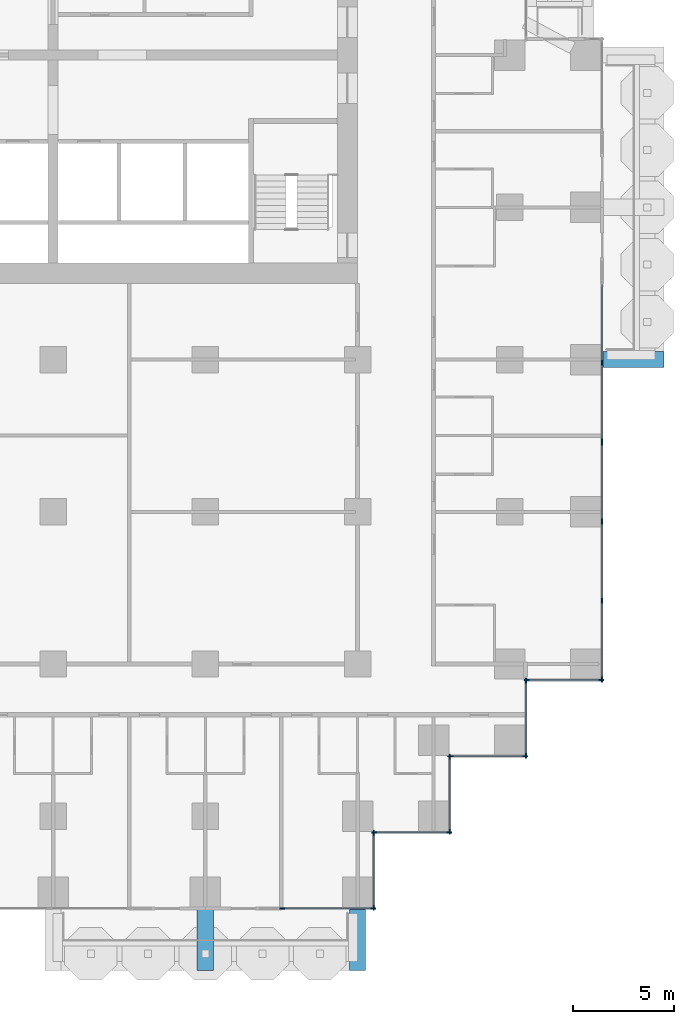
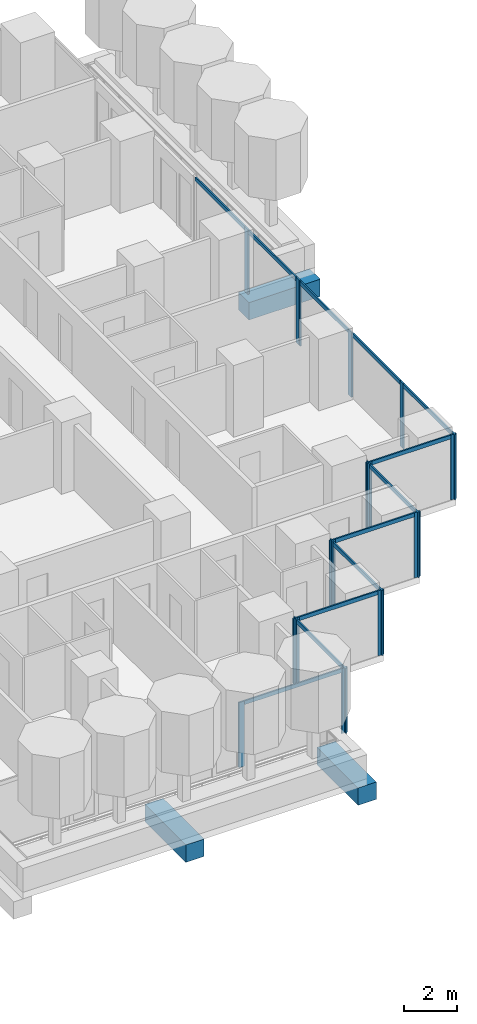
# One storey, part 4 of 20: 32 members, 3 beams, 9 elements without a shape of their own.
"""IFC4 building model written with IfcOpenShell, lengths in metres."""

from ifc_helpers import new_model, si_unit, direction, frame, origin, origin_2d, place, context, subcontext, project, spatial, rectangle, extrude, material, material_profile, profile_set, type_object, element, aggregate, save


model = new_model("IFC4")

# Units and contexts
model_context = context("Model", 3, precision=1e-05, world=origin(), true_north=direction((0.0, 1.0)))
body_context = subcontext(model_context, "Body", "Model", "MODEL_VIEW")
ifc_project = project(units=[si_unit("LENGTHUNIT", "METRE"), si_unit("AREAUNIT", "SQUARE_METRE"), si_unit("VOLUMEUNIT", "CUBIC_METRE"), si_unit("PLANEANGLEUNIT", "RADIAN"), si_unit("MASSUNIT", "GRAM", prefix="KILO")], contexts=[model_context])

# Site, building, storey
site_placement = place(None, origin())
site = spatial("IfcSite", under=ifc_project, at=site_placement, CompositionType="ELEMENT")
building_placement = place(site_placement, origin())
building = spatial("IfcBuilding", under=site, at=building_placement, Name="Pilkhan Gate Tower", CompositionType="ELEMENT")
storey_placement = place(building_placement, frame((0.0, 0.0, 85.699951171875)))
storey = spatial("IfcBuildingStorey", under=building, at=storey_placement, Name="L20", CompositionType="ELEMENT", Elevation=85.699951171875)

# Beams
ifc_material_1 = material(Name="Concrete C50/60", Category="concrete")
ifc_material_profile_1 = material_profile(ifc_material_1, rectangle(XDim=0.800048828125, YDim=0.800048828125, at=origin_2d()), Name="RC 800x800")
ifc_profile_set_1 = profile_set([ifc_material_profile_1], Name="Concrete C50/60")
beam_type = type_object("IfcBeamType", Name="Cantilever beam CB2 RC 800x800 C50/60", PredefinedType="BEAM", material=ifc_profile_set_1)
for number, where, z_axis, x_axis, name in (
    (1, (82.5, 40.5, -0.699951171875), (0.0, -1.0, 0.0), (1.0, 0.0, 0.0), "Balcony beam S.2 L20"),
    (2, (90.0, 40.5, -0.699951171875), (0.0, -1.0, 0.0), (1.0, 0.0, 0.0), "Balcony beam S.3 L20"),
    (3, (102.0, 67.5, -0.699951171875), (1.0, 0.0, 0.0), (0.0, 1.0, 0.0), "Balcony beam E.1 L20"),
):
    element("IfcBeam", number, at=place(storey_placement, frame(where, z_axis=z_axis, x_axis=x_axis)), inside=storey, type_object=beam_type, Name=name, PredefinedType="BEAM", context=body_context, shape_type="SweptSolid", body=[
        extrude(rectangle(XDim=0.800048828125, YDim=0.800048828125, at=origin_2d()), origin(), (0.0, 0.0, 1.0), 3.10009765625),
    ])

# Curtain wall, members
ifc_material_2 = material(Name="Pale anodised aluminium, clear low-iron double glazing", Category="aluminium")
curtain_wall_type = type_object("IfcCurtainWallType", Name="Hotel unitised curtain wall CW-H", PredefinedType="USERDEFINED", material=ifc_material_2)
curtain_wall_1_placement = place(storey_placement, origin())
curtain_wall_1 = element("IfcCurtainWall", 4, at=curtain_wall_1_placement, inside=storey, type_object=curtain_wall_type, Name="Hotel unitised curtain wall CW-H L20 E", ObjectType="UNITISED CURTAIN WALL", PredefinedType="USERDEFINED")
ifc_material_3 = material(Name="Pale anodised aluminium", Category="aluminium")
ifc_material_profile_2 = material_profile(ifc_material_3, rectangle(XDim=0.06494140625, YDim=0.25, at=origin_2d()), Name="Mullion 250x65")
ifc_profile_set_2 = profile_set([ifc_material_profile_2], Name="Pale anodised aluminium")
member_type_1 = type_object("IfcMemberType", Name="Mullion CW-H 250x65", PredefinedType="MULLION", material=ifc_profile_set_2)
member_1_placement = place(storey_placement, frame((102.044921875, 51.737548828125, 0.0), z_axis=(0.0, 0.0, 1.0), x_axis=(-1.0, 0.0, 0.0)))
member_1 = element("IfcMember", 5, at=member_1_placement, type_object=member_type_1, Name="CW-H mullion 1", PredefinedType="MULLION", context=body_context, shape_type="SweptSolid", body=[
    extrude(rectangle(XDim=0.06494140625, YDim=0.25, at=origin_2d()), origin(), (0.0, 0.0, 1.0), 3.0),
])
member_2_placement = place(storey_placement, frame((102.044921875, 55.614013671875, 0.0), z_axis=(0.0, 0.0, 1.0), x_axis=(-1.0, 0.0, 0.0)))
member_2 = element("IfcMember", 6, at=member_2_placement, type_object=member_type_1, Name="CW-H mullion 2", PredefinedType="MULLION", context=body_context, shape_type="SweptSolid", body=[
    extrude(rectangle(XDim=0.06494140625, YDim=0.25, at=origin_2d()), origin(), (0.0, 0.0, 1.0), 3.0),
])
member_3_placement = place(storey_placement, frame((102.044921875, 59.52294921875, 0.0), z_axis=(0.0, 0.0, 1.0), x_axis=(-1.0, 0.0, 0.0)))
member_3 = element("IfcMember", 7, at=member_3_placement, type_object=member_type_1, Name="CW-H mullion 3", PredefinedType="MULLION", context=body_context, shape_type="SweptSolid", body=[
    extrude(rectangle(XDim=0.06494140625, YDim=0.25, at=origin_2d()), origin(), (0.0, 0.0, 1.0), 3.0),
])
member_4_placement = place(storey_placement, frame((102.044921875, 63.3994140625, 0.0), z_axis=(0.0, 0.0, 1.0), x_axis=(-1.0, 0.0, 0.0)))
member_4 = element("IfcMember", 8, at=member_4_placement, type_object=member_type_1, Name="CW-H mullion 4", PredefinedType="MULLION", context=body_context, shape_type="SweptSolid", body=[
    extrude(rectangle(XDim=0.06494140625, YDim=0.25, at=origin_2d()), origin(), (0.0, 0.0, 1.0), 3.0),
])

curtain_wall_2_placement = place(storey_placement, origin())
curtain_wall_2 = element("IfcCurtainWall", 9, at=curtain_wall_2_placement, inside=storey, type_object=curtain_wall_type, Name="Hotel unitised curtain wall CW-H L20 E", ObjectType="UNITISED CURTAIN WALL", PredefinedType="USERDEFINED")
member_5_placement = place(storey_placement, frame((102.044921875, 63.464599609375, 0.0), z_axis=(0.0, 0.0, 1.0), x_axis=(-1.0, 0.0, 0.0)))
member_5 = element("IfcMember", 10, at=member_5_placement, type_object=member_type_1, Name="CW-H mullion 1", PredefinedType="MULLION", context=body_context, shape_type="SweptSolid", body=[
    extrude(rectangle(XDim=0.06494140625, YDim=0.25, at=origin_2d()), origin(), (0.0, 0.0, 1.0), 3.0),
])
member_6_placement = place(storey_placement, frame((102.044921875, 67.341064453125, 0.0), z_axis=(0.0, 0.0, 1.0), x_axis=(-1.0, 0.0, 0.0)))
member_6 = element("IfcMember", 11, at=member_6_placement, type_object=member_type_1, Name="CW-H mullion 2", PredefinedType="MULLION", context=body_context, shape_type="SweptSolid", body=[
    extrude(rectangle(XDim=0.06494140625, YDim=0.25, at=origin_2d()), origin(), (0.0, 0.0, 1.0), 3.0),
])

curtain_wall_3_placement = place(storey_placement, origin())
curtain_wall_3 = element("IfcCurtainWall", 12, at=curtain_wall_3_placement, inside=storey, type_object=curtain_wall_type, Name="Hotel unitised curtain wall CW-H L20 S", ObjectType="UNITISED CURTAIN WALL", PredefinedType="USERDEFINED")
member_7_placement = place(storey_placement, frame((86.282470703125, 40.455078125, 0.0), z_axis=(0.0, 0.0, 1.0), x_axis=(0.0, 1.0, 0.0)))
member_7 = element("IfcMember", 13, at=member_7_placement, type_object=member_type_1, Name="CW-H mullion 1", PredefinedType="MULLION", context=body_context, shape_type="SweptSolid", body=[
    extrude(rectangle(XDim=0.06494140625, YDim=0.25, at=origin_2d()), origin(), (0.0, 0.0, 1.0), 3.0),
])
member_8_placement = place(storey_placement, frame((90.762451171875, 40.455078125, 0.0), z_axis=(0.0, 0.0, 1.0), x_axis=(0.0, 1.0, 0.0)))
member_8 = element("IfcMember", 14, at=member_8_placement, type_object=member_type_1, Name="CW-H mullion 2", PredefinedType="MULLION", context=body_context, shape_type="SweptSolid", body=[
    extrude(rectangle(XDim=0.06494140625, YDim=0.25, at=origin_2d()), origin(), (0.0, 0.0, 1.0), 3.0),
])

curtain_wall_4_placement = place(storey_placement, origin())
curtain_wall_4 = element("IfcCurtainWall", 15, at=curtain_wall_4_placement, inside=storey, type_object=curtain_wall_type, Name="Hotel unitised curtain wall CW-H L20 E", ObjectType="UNITISED CURTAIN WALL", PredefinedType="USERDEFINED")
member_9_placement = place(storey_placement, frame((90.794921875, 40.487548828125, 0.0), z_axis=(0.0, 0.0, 1.0), x_axis=(-1.0, 0.0, 0.0)))
member_9 = element("IfcMember", 16, at=member_9_placement, type_object=member_type_1, Name="CW-H mullion 1", PredefinedType="MULLION", context=body_context, shape_type="SweptSolid", body=[
    extrude(rectangle(XDim=0.06494140625, YDim=0.25, at=origin_2d()), origin(), (0.0, 0.0, 1.0), 3.0),
])
member_10_placement = place(storey_placement, frame((90.794921875, 44.172607421875, 0.0), z_axis=(0.0, 0.0, 1.0), x_axis=(-1.0, 0.0, 0.0)))
member_10 = element("IfcMember", 17, at=member_10_placement, type_object=member_type_1, Name="CW-H mullion 2", PredefinedType="MULLION", context=body_context, shape_type="SweptSolid", body=[
    extrude(rectangle(XDim=0.06494140625, YDim=0.25, at=origin_2d()), origin(), (0.0, 0.0, 1.0), 3.0),
])

curtain_wall_5_placement = place(storey_placement, origin())
curtain_wall_5 = element("IfcCurtainWall", 18, at=curtain_wall_5_placement, inside=storey, type_object=curtain_wall_type, Name="Hotel unitised curtain wall CW-H L20 S", ObjectType="UNITISED CURTAIN WALL", PredefinedType="USERDEFINED")
member_11_placement = place(storey_placement, frame((90.827392578125, 44.205078125, 0.0), z_axis=(0.0, 0.0, 1.0), x_axis=(0.0, 1.0, 0.0)))
member_11 = element("IfcMember", 19, at=member_11_placement, type_object=member_type_1, Name="CW-H mullion 1", PredefinedType="MULLION", context=body_context, shape_type="SweptSolid", body=[
    extrude(rectangle(XDim=0.06494140625, YDim=0.25, at=origin_2d()), origin(), (0.0, 0.0, 1.0), 3.0),
])
member_12_placement = place(storey_placement, frame((94.512451171875, 44.205078125, 0.0), z_axis=(0.0, 0.0, 1.0), x_axis=(0.0, 1.0, 0.0)))
member_12 = element("IfcMember", 20, at=member_12_placement, type_object=member_type_1, Name="CW-H mullion 2", PredefinedType="MULLION", context=body_context, shape_type="SweptSolid", body=[
    extrude(rectangle(XDim=0.06494140625, YDim=0.25, at=origin_2d()), origin(), (0.0, 0.0, 1.0), 3.0),
])

curtain_wall_6_placement = place(storey_placement, origin())
curtain_wall_6 = element("IfcCurtainWall", 21, at=curtain_wall_6_placement, inside=storey, type_object=curtain_wall_type, Name="Hotel unitised curtain wall CW-H L20 E", ObjectType="UNITISED CURTAIN WALL", PredefinedType="USERDEFINED")
member_13_placement = place(storey_placement, frame((94.544921875, 44.237548828125, 0.0), z_axis=(0.0, 0.0, 1.0), x_axis=(-1.0, 0.0, 0.0)))
member_13 = element("IfcMember", 22, at=member_13_placement, type_object=member_type_1, Name="CW-H mullion 1", PredefinedType="MULLION", context=body_context, shape_type="SweptSolid", body=[
    extrude(rectangle(XDim=0.06494140625, YDim=0.25, at=origin_2d()), origin(), (0.0, 0.0, 1.0), 3.0),
])
member_14_placement = place(storey_placement, frame((94.544921875, 47.922607421875, 0.0), z_axis=(0.0, 0.0, 1.0), x_axis=(-1.0, 0.0, 0.0)))
member_14 = element("IfcMember", 23, at=member_14_placement, type_object=member_type_1, Name="CW-H mullion 2", PredefinedType="MULLION", context=body_context, shape_type="SweptSolid", body=[
    extrude(rectangle(XDim=0.06494140625, YDim=0.25, at=origin_2d()), origin(), (0.0, 0.0, 1.0), 3.0),
])

curtain_wall_7_placement = place(storey_placement, origin())
curtain_wall_7 = element("IfcCurtainWall", 24, at=curtain_wall_7_placement, inside=storey, type_object=curtain_wall_type, Name="Hotel unitised curtain wall CW-H L20 S", ObjectType="UNITISED CURTAIN WALL", PredefinedType="USERDEFINED")
member_15_placement = place(storey_placement, frame((94.577392578125, 47.955078125, 0.0), z_axis=(0.0, 0.0, 1.0), x_axis=(0.0, 1.0, 0.0)))
member_15 = element("IfcMember", 25, at=member_15_placement, type_object=member_type_1, Name="CW-H mullion 1", PredefinedType="MULLION", context=body_context, shape_type="SweptSolid", body=[
    extrude(rectangle(XDim=0.06494140625, YDim=0.25, at=origin_2d()), origin(), (0.0, 0.0, 1.0), 3.0),
])
member_16_placement = place(storey_placement, frame((98.262451171875, 47.955078125, 0.0), z_axis=(0.0, 0.0, 1.0), x_axis=(0.0, 1.0, 0.0)))
member_16 = element("IfcMember", 26, at=member_16_placement, type_object=member_type_1, Name="CW-H mullion 2", PredefinedType="MULLION", context=body_context, shape_type="SweptSolid", body=[
    extrude(rectangle(XDim=0.06494140625, YDim=0.25, at=origin_2d()), origin(), (0.0, 0.0, 1.0), 3.0),
])

curtain_wall_8_placement = place(storey_placement, origin())
curtain_wall_8 = element("IfcCurtainWall", 27, at=curtain_wall_8_placement, inside=storey, type_object=curtain_wall_type, Name="Hotel unitised curtain wall CW-H L20 E", ObjectType="UNITISED CURTAIN WALL", PredefinedType="USERDEFINED")
member_17_placement = place(storey_placement, frame((98.294921875, 47.987548828125, 0.0), z_axis=(0.0, 0.0, 1.0), x_axis=(-1.0, 0.0, 0.0)))
member_17 = element("IfcMember", 28, at=member_17_placement, type_object=member_type_1, Name="CW-H mullion 1", PredefinedType="MULLION", context=body_context, shape_type="SweptSolid", body=[
    extrude(rectangle(XDim=0.06494140625, YDim=0.25, at=origin_2d()), origin(), (0.0, 0.0, 1.0), 3.0),
])
member_18_placement = place(storey_placement, frame((98.294921875, 51.672607421875, 0.0), z_axis=(0.0, 0.0, 1.0), x_axis=(-1.0, 0.0, 0.0)))
member_18 = element("IfcMember", 29, at=member_18_placement, type_object=member_type_1, Name="CW-H mullion 2", PredefinedType="MULLION", context=body_context, shape_type="SweptSolid", body=[
    extrude(rectangle(XDim=0.06494140625, YDim=0.25, at=origin_2d()), origin(), (0.0, 0.0, 1.0), 3.0),
])

curtain_wall_9_placement = place(storey_placement, origin())
curtain_wall_9 = element("IfcCurtainWall", 30, at=curtain_wall_9_placement, inside=storey, type_object=curtain_wall_type, Name="Hotel unitised curtain wall CW-H L20 S", ObjectType="UNITISED CURTAIN WALL", PredefinedType="USERDEFINED")
member_19_placement = place(storey_placement, frame((98.327392578125, 51.705078125, 0.0), z_axis=(0.0, 0.0, 1.0), x_axis=(0.0, 1.0, 0.0)))
member_19 = element("IfcMember", 31, at=member_19_placement, type_object=member_type_1, Name="CW-H mullion 1", PredefinedType="MULLION", context=body_context, shape_type="SweptSolid", body=[
    extrude(rectangle(XDim=0.06494140625, YDim=0.25, at=origin_2d()), origin(), (0.0, 0.0, 1.0), 3.0),
])
member_20_placement = place(storey_placement, frame((102.012451171875, 51.705078125, 0.0), z_axis=(0.0, 0.0, 1.0), x_axis=(0.0, 1.0, 0.0)))
member_20 = element("IfcMember", 32, at=member_20_placement, type_object=member_type_1, Name="CW-H mullion 2", PredefinedType="MULLION", context=body_context, shape_type="SweptSolid", body=[
    extrude(rectangle(XDim=0.06494140625, YDim=0.25, at=origin_2d()), origin(), (0.0, 0.0, 1.0), 3.0),
])

# Member
ifc_material_profile_3 = material_profile(ifc_material_3, rectangle(XDim=0.06494140625, YDim=0.179931640625, at=origin_2d()), Name="Transom 180x65")
ifc_profile_set_3 = profile_set([ifc_material_profile_3], Name="Pale anodised aluminium")
member_type_2 = type_object("IfcMemberType", Name="Transom CW-H 180x65", PredefinedType="USERDEFINED", material=ifc_profile_set_3)
member_21_placement = place(storey_placement, frame((102.044921875, 51.77001953125, 2.91015625), z_axis=(0.0, 1.0, 0.0), x_axis=(-1.0, 0.0, 0.0)))
member_21 = element("IfcMember", 33, at=member_21_placement, type_object=member_type_2, Name="CW-H transom 1", ObjectType="TRANSOM", PredefinedType="USERDEFINED", context=body_context, shape_type="SweptSolid", body=[
    extrude(rectangle(XDim=0.06494140625, YDim=0.179931640625, at=origin_2d()), origin(), (0.0, 0.0, 1.0), 3.8115234375),
])

member_22_placement = place(storey_placement, frame((102.044921875, 55.646484375, 2.91015625), z_axis=(0.0, 1.0, 0.0), x_axis=(-1.0, 0.0, 0.0)))
member_22 = element("IfcMember", 34, at=member_22_placement, type_object=member_type_2, Name="CW-H transom 2", ObjectType="TRANSOM", PredefinedType="USERDEFINED", context=body_context, shape_type="SweptSolid", body=[
    extrude(rectangle(XDim=0.06494140625, YDim=0.179931640625, at=origin_2d()), origin(), (0.0, 0.0, 1.0), 3.843994140625),
])

member_23_placement = place(storey_placement, frame((102.044921875, 59.555419921875, 2.91015625), z_axis=(0.0, 1.0, 0.0), x_axis=(-1.0, 0.0, 0.0)))
member_23 = element("IfcMember", 35, at=member_23_placement, type_object=member_type_2, Name="CW-H transom 3", ObjectType="TRANSOM", PredefinedType="USERDEFINED", context=body_context, shape_type="SweptSolid", body=[
    extrude(rectangle(XDim=0.06494140625, YDim=0.179931640625, at=origin_2d()), origin(), (0.0, 0.0, 1.0), 3.8115234375),
])

aggregate(curtain_wall_1, [member_1, member_2, member_3, member_4, member_21, member_22, member_23])

member_24_placement = place(storey_placement, frame((102.044921875, 63.4970703125, 2.91015625), z_axis=(0.0, 1.0, 0.0), x_axis=(-1.0, 0.0, 0.0)))
member_24 = element("IfcMember", 36, at=member_24_placement, type_object=member_type_2, Name="CW-H transom 1", ObjectType="TRANSOM", PredefinedType="USERDEFINED", context=body_context, shape_type="SweptSolid", body=[
    extrude(rectangle(XDim=0.06494140625, YDim=0.179931640625, at=origin_2d()), origin(), (0.0, 0.0, 1.0), 3.8115234375),
])

member_25_placement = place(storey_placement, frame((102.044921875, 67.37353515625, 2.91015625), z_axis=(0.0, 1.0, 0.0), x_axis=(-1.0, 0.0, 0.0)))
member_25 = element("IfcMember", 37, at=member_25_placement, type_object=member_type_2, Name="CW-H transom 2", ObjectType="TRANSOM", PredefinedType="USERDEFINED", context=body_context, shape_type="SweptSolid", body=[
    extrude(rectangle(XDim=0.06494140625, YDim=0.179931640625, at=origin_2d()), origin(), (0.0, 0.0, 1.0), 3.8115234375),
])

aggregate(curtain_wall_2, [member_5, member_6, member_24, member_25])

member_26_placement = place(storey_placement, frame((86.31494140625, 40.455078125, 2.91015625), z_axis=(1.0, 0.0, 0.0), x_axis=(0.0, 1.0, 0.0)))
member_26 = element("IfcMember", 38, at=member_26_placement, type_object=member_type_2, Name="CW-H transom 1", ObjectType="TRANSOM", PredefinedType="USERDEFINED", context=body_context, shape_type="SweptSolid", body=[
    extrude(rectangle(XDim=0.06494140625, YDim=0.179931640625, at=origin_2d()), origin(), (0.0, 0.0, 1.0), 4.4150390625),
])

aggregate(curtain_wall_3, [member_7, member_8, member_26])

member_27_placement = place(storey_placement, frame((90.794921875, 40.52001953125, 2.91015625), z_axis=(0.0, 1.0, 0.0), x_axis=(-1.0, 0.0, 0.0)))
member_27 = element("IfcMember", 39, at=member_27_placement, type_object=member_type_2, Name="CW-H transom 1", ObjectType="TRANSOM", PredefinedType="USERDEFINED", context=body_context, shape_type="SweptSolid", body=[
    extrude(rectangle(XDim=0.06494140625, YDim=0.179931640625, at=origin_2d()), origin(), (0.0, 0.0, 1.0), 3.619873046875),
])

aggregate(curtain_wall_4, [member_9, member_10, member_27])

member_28_placement = place(storey_placement, frame((90.860107421875, 44.205078125, 2.91015625), z_axis=(1.0, 0.0, 0.0), x_axis=(0.0, 1.0, 0.0)))
member_28 = element("IfcMember", 40, at=member_28_placement, type_object=member_type_2, Name="CW-H transom 1", ObjectType="TRANSOM", PredefinedType="USERDEFINED", context=body_context, shape_type="SweptSolid", body=[
    extrude(rectangle(XDim=0.06494140625, YDim=0.179931640625, at=origin_2d()), origin(), (0.0, 0.0, 1.0), 3.619873046875),
])

aggregate(curtain_wall_5, [member_11, member_12, member_28])

member_29_placement = place(storey_placement, frame((94.544921875, 44.27001953125, 2.91015625), z_axis=(0.0, 1.0, 0.0), x_axis=(-1.0, 0.0, 0.0)))
member_29 = element("IfcMember", 41, at=member_29_placement, type_object=member_type_2, Name="CW-H transom 1", ObjectType="TRANSOM", PredefinedType="USERDEFINED", context=body_context, shape_type="SweptSolid", body=[
    extrude(rectangle(XDim=0.06494140625, YDim=0.179931640625, at=origin_2d()), origin(), (0.0, 0.0, 1.0), 3.619873046875),
])

aggregate(curtain_wall_6, [member_13, member_14, member_29])

member_30_placement = place(storey_placement, frame((94.610107421875, 47.955078125, 2.91015625), z_axis=(1.0, 0.0, 0.0), x_axis=(0.0, 1.0, 0.0)))
member_30 = element("IfcMember", 42, at=member_30_placement, type_object=member_type_2, Name="CW-H transom 1", ObjectType="TRANSOM", PredefinedType="USERDEFINED", context=body_context, shape_type="SweptSolid", body=[
    extrude(rectangle(XDim=0.06494140625, YDim=0.179931640625, at=origin_2d()), origin(), (0.0, 0.0, 1.0), 3.619873046875),
])

aggregate(curtain_wall_7, [member_15, member_16, member_30])

member_31_placement = place(storey_placement, frame((98.294921875, 48.02001953125, 2.91015625), z_axis=(0.0, 1.0, 0.0), x_axis=(-1.0, 0.0, 0.0)))
member_31 = element("IfcMember", 43, at=member_31_placement, type_object=member_type_2, Name="CW-H transom 1", ObjectType="TRANSOM", PredefinedType="USERDEFINED", context=body_context, shape_type="SweptSolid", body=[
    extrude(rectangle(XDim=0.06494140625, YDim=0.179931640625, at=origin_2d()), origin(), (0.0, 0.0, 1.0), 3.619873046875),
])

aggregate(curtain_wall_8, [member_17, member_18, member_31])

member_32_placement = place(storey_placement, frame((98.360107421875, 51.705078125, 2.91015625), z_axis=(1.0, 0.0, 0.0), x_axis=(0.0, 1.0, 0.0)))
member_32 = element("IfcMember", 44, at=member_32_placement, type_object=member_type_2, Name="CW-H transom 1", ObjectType="TRANSOM", PredefinedType="USERDEFINED", context=body_context, shape_type="SweptSolid", body=[
    extrude(rectangle(XDim=0.06494140625, YDim=0.179931640625, at=origin_2d()), origin(), (0.0, 0.0, 1.0), 3.619873046875),
])

aggregate(curtain_wall_9, [member_19, member_20, member_32])

save(model, "model.ifc")
